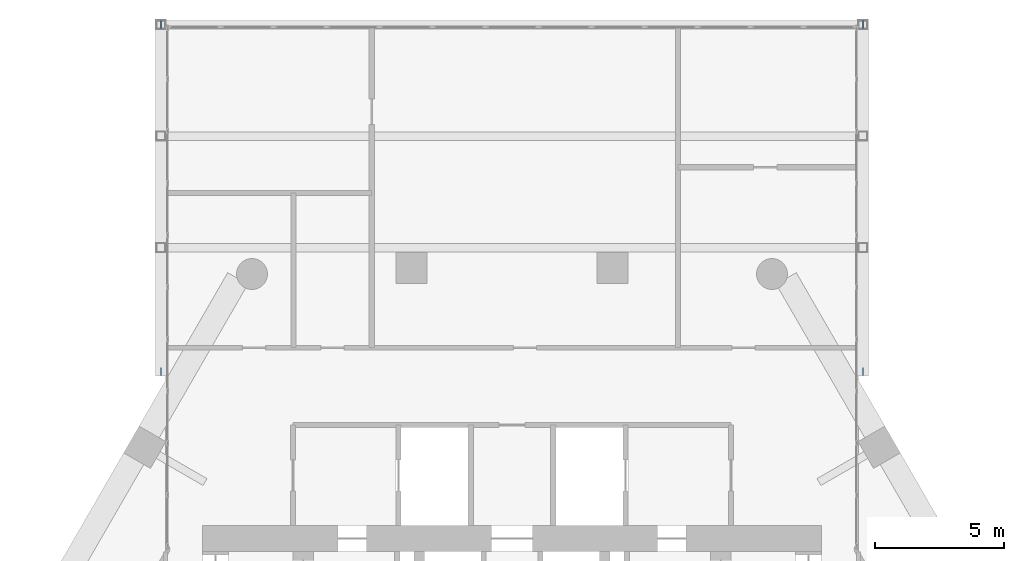
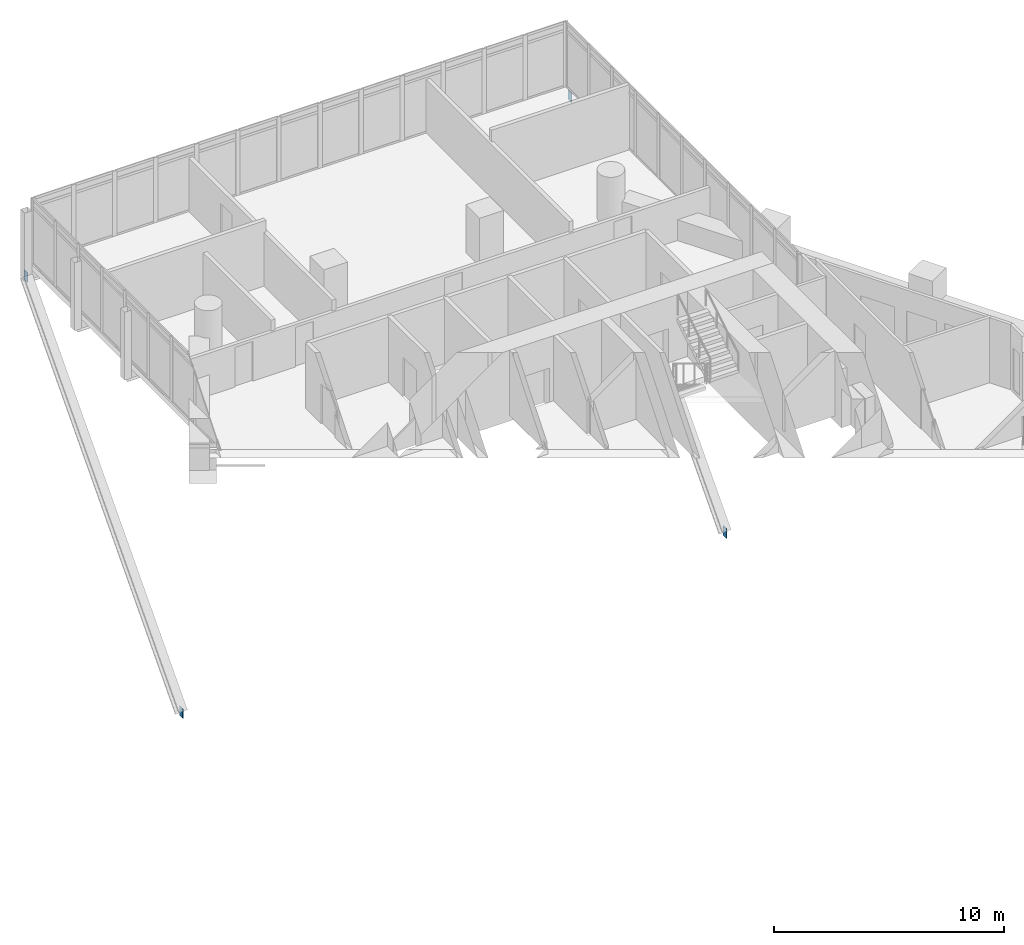
# One storey, part 36 of 37: 4 discrete accessories.
"""IFC4 building model written with IfcOpenShell, lengths in metres."""

from ifc_helpers import new_model, si_unit, direction, frame, origin, origin_2d, place, context, subcontext, project, spatial, rectangle, extrude, material, layer, layer_set, type_object, element, save


model = new_model("IFC4")

# Units and contexts
model_context = context("Model", 3, precision=1e-05, world=origin(), true_north=direction((0.0, 1.0)))
body_context = subcontext(model_context, "Body", "Model", "MODEL_VIEW")
ifc_project = project(units=[si_unit("LENGTHUNIT", "METRE"), si_unit("AREAUNIT", "SQUARE_METRE"), si_unit("VOLUMEUNIT", "CUBIC_METRE"), si_unit("PLANEANGLEUNIT", "RADIAN"), si_unit("MASSUNIT", "GRAM", prefix="KILO")], contexts=[model_context])

# Site, building, storey
site_placement = place(None, origin())
site = spatial("IfcSite", under=ifc_project, at=site_placement, CompositionType="ELEMENT")
building_placement = place(site_placement, origin())
building = spatial("IfcBuilding", under=site, at=building_placement, Name="Ostrander Bayou Hotel Tower", CompositionType="ELEMENT")
storey_placement = place(building_placement, frame((0.0, 0.0, 131.0)))
storey = spatial("IfcBuildingStorey", under=building, at=storey_placement, Name="L32", CompositionType="ELEMENT", Elevation=131.0)

# Discrete accessories
ifc_material = material(Name="Steel ASTM A572 Gr 50", Category="steel")
ifc_layer = layer(ifc_material, 0.030029296875)
ifc_layer_set = layer_set([ifc_layer], Name="GP1 gusset plate 30 mm")
discrete_accessory_type = type_object("IfcDiscreteAccessoryType", Name="GP1 gusset plate 30 mm", PredefinedType="BRACKET", material=ifc_layer_set)
for number, where, z_axis, x_axis, name in (
    (1, (-13.6201171875, 29.13720703125, -0.921875), (0.0, 0.0, 1.0), (0.0, -1.0, 0.0), "GP1 gusset plate bar 161"),
    (2, (-13.6201171875, 15.678466796875, -15.85009765625), (0.0, 0.0, 1.0), (0.0, -1.0, 0.0), "GP1 gusset plate bar 162"),
    (3, (13.6201171875, 29.13720703125, -0.921875), (0.0, 0.0, 1.0), (0.0, -1.0, 0.0), "GP1 gusset plate bar 163"),
    (4, (13.6201171875, 15.678466796875, -15.85009765625), (0.0, 0.0, 1.0), (0.0, -1.0, 0.0), "GP1 gusset plate bar 164"),
):
    element("IfcDiscreteAccessory", number, at=place(storey_placement, frame(where, z_axis=z_axis, x_axis=x_axis)), inside=storey, type_object=discrete_accessory_type, Name=name, PredefinedType="BRACKET", context=body_context, shape_type="SweptSolid", body=[
        extrude(rectangle(XDim=0.300048828125, YDim=0.030029296875, at=origin_2d()), origin(), (0.0, 0.0, 1.0), 0.5),
    ])

save(model, "model.ifc")
